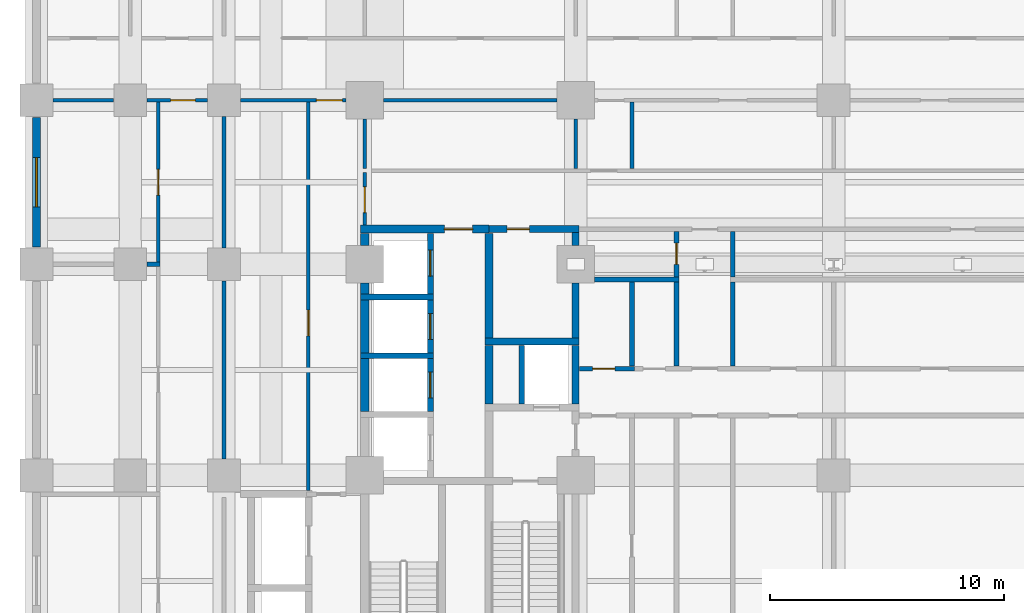
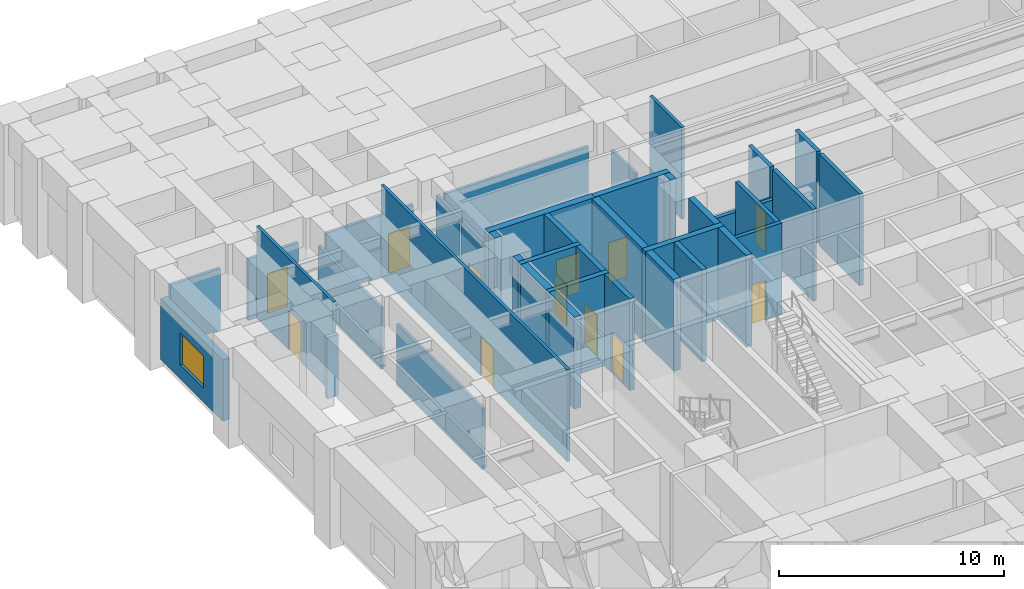
# One storey, part 11 of 22: 39 walls, 12 doors, 1 window, 13 openings.
"""IFC4 building model written with IfcOpenShell, lengths in metres."""

import ifcopenshell
import ifcopenshell.guid

model = None  # the IFC model being written
_history = None  # IfcOwnerHistory: only IFC2X3 demands one
_inside = {}  # id of a spatial element -> (the spatial element, [elements in it])
_under = {}  # id of a project, library or spatial element -> (it, [spatial elements below it])
_declared = {}  # id of a project -> (the project, [libraries it declares])
_typed = {}  # id of a type object -> (the type object, [elements of that type])
_made_of = {}  # id of a material, layer set ... -> (it, [elements and type objects made of it])


def new_model(schema):
    """Start an empty IFC model of exactly this schema.

    Asked for "IFC4X3", IfcOpenShell would pick the latest addendum, in which some entities
    have other attributes; the version numbers below select the first issue.
    IFC2X3 requires an IfcOwnerHistory on every rooted entity: one is made here for all.
    """
    global model, _history
    if schema == "IFC4X3":
        model = ifcopenshell.file(schema_version=(4, 3, 0, 0))
    else:
        model = ifcopenshell.file(schema=schema)
    _inside.clear()
    _under.clear()
    _declared.clear()
    _typed.clear()
    _made_of.clear()
    _history = None
    if model.schema == "IFC2X3":
        org = make("IfcOrganization", Name="unknown")
        user = make(
            "IfcPersonAndOrganization",
            ThePerson=make("IfcPerson", FamilyName="unknown"),
            TheOrganization=org,
        )
        app = make(
            "IfcApplication",
            ApplicationDeveloper=org,
            Version="unknown",
            ApplicationFullName="unknown",
            ApplicationIdentifier="unknown",
        )
        _history = make(
            "IfcOwnerHistory",
            OwningUser=user,
            OwningApplication=app,
            ChangeAction="ADDED",
            CreationDate=0,
        )
    return model


def make(cls, **values):
    """One entity of the class cls with the attributes given. An attribute that is None is left unset."""
    return model.create_entity(
        cls, **{name: value for name, value in values.items() if value is not None}
    )


def rooted(cls, **values):
    """An entity with a GlobalId (a new one), such as an element, a storey or a relation."""
    return make(cls, GlobalId=ifcopenshell.guid.new(), OwnerHistory=_history, **values)


def si_unit(unit_type, name, prefix=None):
    """IfcSIUnit, for example si_unit("LENGTHUNIT", "METRE", prefix="MILLI")."""
    return make("IfcSIUnit", UnitType=unit_type, Prefix=prefix, Name=name)


def assignment(units):
    """IfcUnitAssignment: the units of a project."""
    return None if units is None else make("IfcUnitAssignment", Units=units)


def point(xyz):
    """IfcCartesianPoint."""
    return None if xyz is None else make("IfcCartesianPoint", Coordinates=xyz)


def direction(xyz):
    """IfcDirection."""
    return None if xyz is None else make("IfcDirection", DirectionRatios=xyz)


def frame(location, z_axis=None, x_axis=None):
    """IfcAxis2Placement3D, a coordinate frame: its origin and axes. An axis left out is left unset."""
    return make(
        "IfcAxis2Placement3D",
        Location=point(location),
        Axis=direction(z_axis),
        RefDirection=direction(x_axis),
    )


def frame_2d(location, x_axis=None):
    """IfcAxis2Placement2D, a coordinate frame in the plane: its origin and x axis."""
    return make(
        "IfcAxis2Placement2D", Location=point(location), RefDirection=direction(x_axis)
    )


def origin():
    """The frame at (0, 0, 0) with its axes left unset."""
    return frame((0.0, 0.0, 0.0))


def place(relative_to, where):
    """IfcLocalPlacement: puts the frame where relative to a parent placement (None: the world)."""
    return make(
        "IfcLocalPlacement", PlacementRelTo=relative_to, RelativePlacement=where
    )


def context(
    kind, dimensions, precision=None, world=None, true_north=None, identifier=None
):
    """IfcGeometricRepresentationContext, for example the 3D "Model" context."""
    return make(
        "IfcGeometricRepresentationContext",
        ContextIdentifier=identifier,
        ContextType=kind,
        CoordinateSpaceDimension=dimensions,
        Precision=precision,
        WorldCoordinateSystem=world,
        TrueNorth=true_north,
    )


def subcontext(parent, identifier, kind, view, scale=None):
    """IfcGeometricRepresentationSubContext, for example "Body" below "Model"."""
    return make(
        "IfcGeometricRepresentationSubContext",
        ContextIdentifier=identifier,
        ContextType=kind,
        ParentContext=parent,
        TargetScale=scale,
        TargetView=view,
    )


def project(units=None, contexts=None):
    """IfcProject with its units and contexts."""
    return rooted(
        "IfcProject",
        Name="project",
        RepresentationContexts=contexts,
        UnitsInContext=assignment(units),
    )


def spatial(cls, under=None, at=None, **own):
    """A site, building, storey or space (cls), placed at a placement, below another one or the project."""
    s = rooted(cls, ObjectPlacement=at, **own)
    if under is not None:
        _under.setdefault(under.id(), (under, []))[1].append(s)
    return s


def profile(cls, at=None, kind="AREA", **sizes):
    """A parametric profile (cls). Its sizes go by their IFC names, for example OverallWidth=200.0."""
    return make(cls, ProfileType=kind, Position=at, **sizes)


def rectangle(**sizes):
    """IfcRectangleProfileDef."""
    return profile("IfcRectangleProfileDef", **sizes)


def extrude(swept, where, along, depth):
    """IfcExtrudedAreaSolid: the profile swept, set in the frame where, extruded along a direction by depth."""
    return make(
        "IfcExtrudedAreaSolid",
        SweptArea=swept,
        Position=where,
        ExtrudedDirection=direction(along),
        Depth=depth,
    )


def shape(context_of_items, identifier, shape_type, items):
    """IfcShapeRepresentation: the items that make up one representation, for example the "Body"."""
    return make(
        "IfcShapeRepresentation",
        ContextOfItems=context_of_items,
        RepresentationIdentifier=identifier,
        RepresentationType=shape_type,
        Items=items,
    )


def material(Name=None, Category=None):
    """IfcMaterial."""
    return make("IfcMaterial", Name=Name, Category=Category)


def layer(
    of_material, thickness, ventilated=None, Name=None, Category=None, Priority=None
):
    """IfcMaterialLayer: one layer of a wall or slab, of a material (None: an air gap)."""
    return make(
        "IfcMaterialLayer",
        Material=of_material,
        LayerThickness=thickness,
        IsVentilated=ventilated,
        Name=Name,
        Category=Category,
        Priority=Priority,
    )


def layer_set(layers, Name=None):
    """IfcMaterialLayerSet."""
    return make("IfcMaterialLayerSet", MaterialLayers=layers, LayerSetName=Name)


def made_of(thing, what):
    """Note that an element or type object is made of a material, layer set ...; save() writes the relation."""
    if what is not None:
        _made_of.setdefault(what.id(), (what, []))[1].append(thing)
    return thing


def type_object(cls, material=None, **own):
    """A type object (cls), such as IfcWallType, which elements share."""
    return made_of(rooted(cls, **own), material)


def element(
    cls,
    number,
    at=None,
    inside=None,
    cuts=None,
    type_object=None,
    material=None,
    context=None,
    identifier="Body",
    shape_type=None,
    held_by="IfcProductDefinitionShape",
    body=None,
    shapes=None,
    **own,
):
    """One element of the class cls, such as IfcWall. Its Tag is "e" and its number.

    at: its placement. inside: the storey or other place that contains it. cuts: it is an
    opening in that element (IfcRelVoidsElement). A single representation is given by context,
    identifier, shape_type and body (its items); several are given by shapes. held_by: the class
    of the entity that holds the representations. save() writes the other relations.
    """
    e = rooted(cls, Tag="e%d" % number, ObjectPlacement=at, **own)
    if body is not None:
        shapes = [shape(context, identifier, shape_type, body)]
    if shapes is not None:
        e.Representation = make(held_by, Representations=shapes)
    if inside is not None:
        _inside.setdefault(inside.id(), (inside, []))[1].append(e)
    if cuts is not None:
        rooted(
            "IfcRelVoidsElement", RelatingBuildingElement=cuts, RelatedOpeningElement=e
        )
    if type_object is not None:
        _typed.setdefault(type_object.id(), (type_object, []))[1].append(e)
    return made_of(e, material)


def fill(opening, filler):
    """IfcRelFillsElement: the door or window that sits in an opening."""
    return rooted(
        "IfcRelFillsElement",
        RelatingOpeningElement=opening,
        RelatedBuildingElement=filler,
    )


def aggregate(whole, parts):
    """IfcRelAggregates: a whole, such as a stair, and the parts it consists of."""
    return rooted("IfcRelAggregates", RelatingObject=whole, RelatedObjects=parts)


def save(model, path):
    """Write the relations noted so far, then the file.

    IfcRelAggregates (storeys below a building ...), IfcRelContainedInSpatialStructure (elements
    in a storey), IfcRelDefinesByType, IfcRelAssociatesMaterial and IfcRelDeclares: one each for
    every whole, place, type object, material and project.
    """
    for whole, parts in _under.values():
        aggregate(whole, parts)
    for where, things in _inside.values():
        rooted(
            "IfcRelContainedInSpatialStructure",
            RelatedElements=things,
            RelatingStructure=where,
        )
    for kind, things in _typed.values():
        rooted("IfcRelDefinesByType", RelatedObjects=things, RelatingType=kind)
    for what, things in _made_of.values():
        rooted("IfcRelAssociatesMaterial", RelatedObjects=things, RelatingMaterial=what)
    for by, libraries in _declared.values():
        rooted("IfcRelDeclares", RelatingContext=by, RelatedDefinitions=libraries)
    model.write(path)


model = new_model("IFC4")

# Units and contexts
model_context = context("Model", 3, precision=1e-05, world=origin(), true_north=direction((0.0, 1.0)))
body_context = subcontext(model_context, "Body", "Model", "MODEL_VIEW")
ifc_project = project(units=[si_unit("LENGTHUNIT", "METRE"), si_unit("AREAUNIT", "SQUARE_METRE"), si_unit("VOLUMEUNIT", "CUBIC_METRE"), si_unit("PLANEANGLEUNIT", "RADIAN"), si_unit("MASSUNIT", "GRAM", prefix="KILO")], contexts=[model_context])

# Site, building, storey
site_placement = place(None, origin())
site = spatial("IfcSite", under=ifc_project, at=site_placement, CompositionType="ELEMENT")
building_placement = place(site_placement, origin())
building = spatial("IfcBuilding", under=site, at=building_placement, Name="Zulmaris Gate Convention Tower", CompositionType="ELEMENT")
storey_placement = place(building_placement, frame((0.0, 0.0, 21.760009765625)))
storey = spatial("IfcBuildingStorey", under=building, at=storey_placement, Name="L04", CompositionType="ELEMENT", Elevation=21.760009765625)

# Walls
ifc_material_1 = material(Name="Concrete C50/60", Category="concrete")
ifc_layer_1 = layer(ifc_material_1, 0.25, Name="Concrete C50/60")
ifc_layer_set_1 = layer_set([ifc_layer_1], Name="Concrete C50/60")
wall_type_1 = type_object("IfcWallType", Name="CORE-250", PredefinedType="SOLIDWALL", material=ifc_layer_set_1)
for number, where, z_axis, x_axis, name in (
    (1, (-20.175048828125, 5.10009765625, 0.0), (0.0, 0.0, 1.0), (1.0, 0.0, 0.0), "WL-L04-019"),
    (2, (-20.175048828125, 7.60009765625, 0.0), (0.0, 0.0, 1.0), (1.0, 0.0, 0.0), "WL-L04-022"),
):
    element("IfcWall", number, at=place(storey_placement, frame(where, z_axis=z_axis, x_axis=x_axis)), inside=storey, type_object=wall_type_1, Name=name, PredefinedType="SOLIDWALL", context=body_context, shape_type="SweptSolid", body=[
        extrude(rectangle(XDim=3.10009765625, YDim=0.25, at=frame_2d((1.550048828125, 0.0))), origin(), (0.0, 0.0, 1.0), 4.989990234375),
    ])

# Wall, opening, door
wall_1_placement = place(storey_placement, frame((-17.199951171875, 2.72705078125, 0.0), z_axis=(0.0, 0.0, 1.0), x_axis=(0.0, 1.0, 0.0)))
wall_1 = element("IfcWall", 3, at=wall_1_placement, inside=storey, type_object=wall_type_1, Name="WL-L04-084", PredefinedType="SOLIDWALL", context=body_context, shape_type="SweptSolid", body=[
    extrude(rectangle(XDim=2.245849609375, YDim=0.25, at=frame_2d((1.123046875, 0.0))), origin(), (0.0, 0.0, 1.0), 4.989990234375),
])
opening_1_placement = place(wall_1_placement, frame((0.572998046875, 0.0, 0.0)))
opening_1 = element("IfcOpeningElement", 4, at=opening_1_placement, cuts=wall_1, Name="Opening D-06", PredefinedType="OPENING", context=body_context, shape_type="SweptSolid", body=[
    extrude(rectangle(XDim=1.10009765625, YDim=2.199951171875, at=frame_2d((0.550048828125, 1.10009765625))), frame((0.0, 0.135009765625, 0.0), z_axis=(0.0, -1.0, 0.0), x_axis=(1.0, 0.0, 0.0)), (0.0, 0.0, 1.0), 0.27001953125),
])
ifc_material_2 = material(Name="Brushed Stainless Steel", Category="steel")
door_type_1 = type_object("IfcDoorType", Name="LD-1100", OperationType="NOTDEFINED", PredefinedType="DOOR", material=ifc_material_2)
door_1_placement = place(opening_1_placement, origin())
door_1 = element("IfcDoor", 5, at=door_1_placement, inside=storey, type_object=door_type_1, Name="L04 Lift Landing Door LP-02 13", OperationType="SLIDING_TO_LEFT", OverallHeight=2.199951171875, OverallWidth=1.10009765625, PredefinedType="DOOR", context=body_context, shape_type="SweptSolid", body=[
    extrude(rectangle(XDim=1.10009765625, YDim=2.199951171875, at=frame_2d((0.550048828125, 1.10009765625))), frame((0.0, 0.02490234375, 0.0), z_axis=(0.0, -1.0, 0.0), x_axis=(1.0, 0.0, 0.0)), (0.0, 0.0, 1.0), 0.050048828125),
])
fill(opening_1, door_1)

wall_2_placement = place(storey_placement, frame((-17.199951171875, 5.22705078125, 0.0), z_axis=(0.0, 0.0, 1.0), x_axis=(0.0, 1.0, 0.0)))
wall_2 = element("IfcWall", 6, at=wall_2_placement, inside=storey, type_object=wall_type_1, Name="WL-L04-085", PredefinedType="SOLIDWALL", context=body_context, shape_type="SweptSolid", body=[
    extrude(rectangle(XDim=2.245849609375, YDim=0.25, at=frame_2d((1.123046875, 0.0))), origin(), (0.0, 0.0, 1.0), 4.989990234375),
])
opening_2_placement = place(wall_2_placement, frame((0.572998046875, 0.0, 0.0)))
opening_2 = element("IfcOpeningElement", 7, at=opening_2_placement, cuts=wall_2, Name="Opening D-06", PredefinedType="OPENING", context=body_context, shape_type="SweptSolid", body=[
    extrude(rectangle(XDim=1.10009765625, YDim=2.199951171875, at=frame_2d((0.550048828125, 1.10009765625))), frame((0.0, 0.135009765625, 0.0), z_axis=(0.0, -1.0, 0.0), x_axis=(1.0, 0.0, 0.0)), (0.0, 0.0, 1.0), 0.27001953125),
])
door_2_placement = place(opening_2_placement, origin())
door_2 = element("IfcDoor", 8, at=door_2_placement, inside=storey, type_object=door_type_1, Name="L04 Lift Landing Door LP-03 14", OperationType="SLIDING_TO_LEFT", OverallHeight=2.199951171875, OverallWidth=1.10009765625, PredefinedType="DOOR", context=body_context, shape_type="SweptSolid", body=[
    extrude(rectangle(XDim=1.10009765625, YDim=2.199951171875, at=frame_2d((0.550048828125, 1.10009765625))), frame((0.0, 0.02490234375, 0.0), z_axis=(0.0, -1.0, 0.0), x_axis=(1.0, 0.0, 0.0)), (0.0, 0.0, 1.0), 0.050048828125),
])
fill(opening_2, door_2)

wall_3_placement = place(storey_placement, frame((-17.199951171875, 7.72705078125, 0.0), z_axis=(0.0, 0.0, 1.0), x_axis=(0.0, 1.0, 0.0)))
wall_3 = element("IfcWall", 9, at=wall_3_placement, inside=storey, type_object=wall_type_1, Name="WL-L04-086", PredefinedType="SOLIDWALL", context=body_context, shape_type="SweptSolid", body=[
    extrude(rectangle(XDim=2.595947265625, YDim=0.25, at=frame_2d((1.2978515625, 0.0))), origin(), (0.0, 0.0, 1.0), 4.989990234375),
])
opening_3_placement = place(wall_3_placement, frame((0.77294921875, 0.0, 0.0)))
opening_3 = element("IfcOpeningElement", 10, at=opening_3_placement, cuts=wall_3, Name="Opening D-06", PredefinedType="OPENING", context=body_context, shape_type="SweptSolid", body=[
    extrude(rectangle(XDim=1.10009765625, YDim=2.199951171875, at=frame_2d((0.550048828125, 1.10009765625))), frame((0.0, 0.135009765625, 0.0), z_axis=(0.0, -1.0, 0.0), x_axis=(1.0, 0.0, 0.0)), (0.0, 0.0, 1.0), 0.27001953125),
])
door_3_placement = place(opening_3_placement, origin())
door_3 = element("IfcDoor", 11, at=door_3_placement, inside=storey, type_object=door_type_1, Name="L04 Lift Landing Door LP-04 15", OperationType="SLIDING_TO_LEFT", OverallHeight=2.199951171875, OverallWidth=1.10009765625, PredefinedType="DOOR", context=body_context, shape_type="SweptSolid", body=[
    extrude(rectangle(XDim=1.10009765625, YDim=2.199951171875, at=frame_2d((0.550048828125, 1.10009765625))), frame((0.0, 0.02490234375, 0.0), z_axis=(0.0, -1.0, 0.0), x_axis=(1.0, 0.0, 0.0)), (0.0, 0.0, 1.0), 0.050048828125),
])
fill(opening_3, door_3)

# Walls
wall_4_placement = place(storey_placement, frame((-13.300048828125, 3.052001953125, 0.0), z_axis=(0.0, 0.0, 1.0), x_axis=(0.0, 1.0, 0.0)))
element("IfcWall", 12, at=wall_4_placement, inside=storey, type_object=wall_type_1, Name="WL-L04-092", PredefinedType="SOLIDWALL", context=body_context, shape_type="SweptSolid", body=[
    extrude(rectangle(XDim=2.49609375, YDim=0.25, at=frame_2d((1.248046875, 0.0))), origin(), (0.0, 0.0, 1.0), 4.989990234375),
])
ifc_layer_2 = layer(ifc_material_1, 0.300048828125, Name="Concrete C50/60")
ifc_layer_set_2 = layer_set([ifc_layer_2], Name="Concrete C50/60")
wall_type_2 = type_object("IfcWallType", Name="CORE-300", PredefinedType="SHEAR", material=ifc_layer_set_2)
wall_5_placement = place(storey_placement, frame((-14.875, 5.699951171875, 0.0), z_axis=(0.0, 0.0, 1.0), x_axis=(1.0, 0.0, 0.0)))
element("IfcWall", 13, at=wall_5_placement, inside=storey, type_object=wall_type_2, Name="WL-L04-020", PredefinedType="SHEAR", context=body_context, shape_type="SweptSolid", body=[
    extrude(rectangle(XDim=4.02490234375, YDim=0.300048828125, at=frame_2d((2.012451171875, 0.0))), origin(), (0.0, 0.0, 1.0), 4.989990234375),
])

# Wall, opening, door
wall_6_placement = place(storey_placement, frame((-14.699951171875, 10.5, 0.0), z_axis=(0.0, 0.0, 1.0), x_axis=(1.0, 0.0, 0.0)))
wall_6 = element("IfcWall", 14, at=wall_6_placement, inside=storey, type_object=wall_type_2, Name="WL-L04-024", PredefinedType="SHEAR", context=body_context, shape_type="SweptSolid", body=[
    extrude(rectangle(XDim=3.849853515625, YDim=0.300048828125, at=frame_2d((1.9248046875, 0.0))), origin(), (0.0, 0.0, 1.0), 4.989990234375),
])
opening_4_placement = place(wall_6_placement, frame((0.77490234375, 0.0, 0.0)))
opening_4 = element("IfcOpeningElement", 15, at=opening_4_placement, cuts=wall_6, Name="Opening D-11", PredefinedType="OPENING", context=body_context, shape_type="SweptSolid", body=[
    extrude(rectangle(XDim=0.949951171875, YDim=2.14990234375, at=frame_2d((0.47509765625, 1.074951171875))), frame((0.0, 0.16015625, 0.0), z_axis=(0.0, -1.0, 0.0), x_axis=(1.0, 0.0, 0.0)), (0.0, 0.0, 1.0), 0.320068359375),
])
ifc_material_3 = material(Name="Fire-Rated Timber", Category="wood")
door_type_2 = type_object("IfcDoorType", Name="DR-950-FD", OperationType="NOTDEFINED", PredefinedType="DOOR", material=ifc_material_3)
door_4_placement = place(opening_4_placement, origin())
door_4 = element("IfcDoor", 16, at=door_4_placement, inside=storey, type_object=door_type_2, Name="L04 Core Archive Door 07", OperationType="SINGLE_SWING_LEFT", OverallHeight=2.14990234375, OverallWidth=0.949951171875, PredefinedType="DOOR", context=body_context, shape_type="SweptSolid", body=[
    extrude(rectangle(XDim=0.949951171875, YDim=2.14990234375, at=frame_2d((0.47509765625, 1.074951171875))), frame((0.0, 0.02490234375, 0.0), z_axis=(0.0, -1.0, 0.0), x_axis=(1.0, 0.0, 0.0)), (0.0, 0.0, 1.0), 0.050048828125),
])
fill(opening_4, door_4)

# Walls
wall_7_placement = place(storey_placement, frame((-11.0, 3.052001953125, 0.0), z_axis=(0.0, 0.0, 1.0), x_axis=(0.0, 1.0, 0.0)))
element("IfcWall", 17, at=wall_7_placement, inside=storey, type_object=wall_type_2, Name="WL-L04-096", PredefinedType="SHEAR", context=body_context, shape_type="SweptSolid", body=[
    extrude(rectangle(XDim=2.49609375, YDim=0.300048828125, at=frame_2d((1.248046875, 0.0))), origin(), (0.0, 0.0, 1.0), 4.989990234375),
])
wall_8_placement = place(storey_placement, frame((-11.0, 5.85205078125, 0.0), z_axis=(0.0, 0.0, 1.0), x_axis=(0.0, 1.0, 0.0)))
element("IfcWall", 18, at=wall_8_placement, inside=storey, type_object=wall_type_2, Name="WL-L04-097", PredefinedType="SHEAR", context=body_context, shape_type="SweptSolid", body=[
    extrude(rectangle(XDim=2.343994140625, YDim=0.300048828125, at=frame_2d((1.171875, 0.0))), origin(), (0.0, 0.0, 1.0), 4.989990234375),
])
wall_9_placement = place(storey_placement, frame((-11.0, 9.803955078125, 0.0), z_axis=(0.0, 0.0, 1.0), x_axis=(0.0, 1.0, 0.0)))
element("IfcWall", 19, at=wall_9_placement, inside=storey, type_object=wall_type_2, Name="WL-L04-097S1", PredefinedType="SHEAR", context=body_context, shape_type="SweptSolid", body=[
    extrude(rectangle(XDim=0.5439453125, YDim=0.300048828125, at=frame_2d((0.27197265625, 0.0))), origin(), (0.0, 0.0, 1.0), 4.989990234375),
])

# Wall, opening, door
ifc_material_4 = material(Name="Concrete C55/67", Category="concrete")
ifc_layer_3 = layer(ifc_material_4, 0.35009765625, Name="Concrete C55/67")
ifc_layer_set_3 = layer_set([ifc_layer_3], Name="Concrete C55/67")
wall_type_3 = type_object("IfcWallType", Name="CORE-350", PredefinedType="SHEAR", material=ifc_layer_set_3)
wall_10_placement = place(storey_placement, frame((-20.175048828125, 10.5, 0.0), z_axis=(0.0, 0.0, 1.0), x_axis=(1.0, 0.0, 0.0)))
wall_10 = element("IfcWall", 20, at=wall_10_placement, inside=storey, type_object=wall_type_3, Name="WL-L04-023", PredefinedType="SHEAR", context=body_context, shape_type="SweptSolid", body=[
    extrude(rectangle(XDim=5.47509765625, YDim=0.35009765625, at=frame_2d((2.737548828125, 0.0))), origin(), (0.0, 0.0, 1.0), 4.989990234375),
])
opening_5_placement = place(wall_10_placement, frame((3.574951171875, 0.0, 0.0)))
opening_5 = element("IfcOpeningElement", 21, at=opening_5_placement, cuts=wall_10, Name="Opening D-13", PredefinedType="OPENING", context=body_context, shape_type="SweptSolid", body=[
    extrude(rectangle(XDim=1.199951171875, YDim=2.14990234375, at=frame_2d((0.60009765625, 1.074951171875))), frame((0.0, 0.18505859375, 0.0), z_axis=(0.0, -1.0, 0.0), x_axis=(1.0, 0.0, 0.0)), (0.0, 0.0, 1.0), 0.3701171875),
])
ifc_material_5 = material(Name="Fire-Rated Steel", Category="steel")
door_type_3 = type_object("IfcDoorType", Name="DR-1200-FD", OperationType="NOTDEFINED", PredefinedType="DOOR", material=ifc_material_5)
door_5_placement = place(opening_5_placement, origin())
door_5 = element("IfcDoor", 22, at=door_5_placement, inside=storey, type_object=door_type_3, Name="L04 Low-Rise Lift Lobby Door 11", OperationType="SINGLE_SWING_LEFT", OverallHeight=2.14990234375, OverallWidth=1.199951171875, PredefinedType="DOOR", context=body_context, shape_type="SweptSolid", body=[
    extrude(rectangle(XDim=1.199951171875, YDim=2.14990234375, at=frame_2d((0.60009765625, 1.074951171875))), frame((0.0, 0.02490234375, 0.0), z_axis=(0.0, -1.0, 0.0), x_axis=(1.0, 0.0, 0.0)), (0.0, 0.0, 1.0), 0.050048828125),
])
fill(opening_5, door_5)

# Walls
for number, where, z_axis, x_axis, name in (
    (23, (-20.0, 2.72705078125, 0.0), (0.0, 0.0, 1.0), (0.0, 1.0, 0.0), "WL-L04-080"),
    (24, (-20.0, 5.22705078125, 0.0), (0.0, 0.0, 1.0), (0.0, 1.0, 0.0), "WL-L04-081"),
):
    element("IfcWall", number, at=place(storey_placement, frame(where, z_axis=z_axis, x_axis=x_axis)), inside=storey, type_object=wall_type_3, Name=name, PredefinedType="SHEAR", context=body_context, shape_type="SweptSolid", body=[
        extrude(rectangle(XDim=2.245849609375, YDim=0.35009765625, at=frame_2d((1.123046875, 0.0))), origin(), (0.0, 0.0, 1.0), 4.989990234375),
    ])
wall_11_placement = place(storey_placement, frame((-20.0, 7.72705078125, 0.0), z_axis=(0.0, 0.0, 1.0), x_axis=(0.0, 1.0, 0.0)))
element("IfcWall", 25, at=wall_11_placement, inside=storey, type_object=wall_type_3, Name="WL-L04-082", PredefinedType="SHEAR", context=body_context, shape_type="SweptSolid", body=[
    extrude(rectangle(XDim=0.468994140625, YDim=0.35009765625, at=frame_2d((0.234375, 0.0))), origin(), (0.0, 0.0, 1.0), 4.989990234375),
])
wall_12_placement = place(storey_placement, frame((-20.0, 9.803955078125, 0.0), z_axis=(0.0, 0.0, 1.0), x_axis=(0.0, 1.0, 0.0)))
element("IfcWall", 26, at=wall_12_placement, inside=storey, type_object=wall_type_3, Name="WL-L04-082S1", PredefinedType="SHEAR", context=body_context, shape_type="SweptSolid", body=[
    extrude(rectangle(XDim=0.51904296875, YDim=0.35009765625, at=frame_2d((0.259521484375, 0.0))), origin(), (0.0, 0.0, 1.0), 4.989990234375),
])
wall_13_placement = place(storey_placement, frame((-14.699951171875, 3.052001953125, 0.0), z_axis=(0.0, 0.0, 1.0), x_axis=(0.0, 1.0, 0.0)))
element("IfcWall", 27, at=wall_13_placement, inside=storey, type_object=wall_type_3, Name="WL-L04-090", PredefinedType="SHEAR", context=body_context, shape_type="SweptSolid", body=[
    extrude(rectangle(XDim=2.49609375, YDim=0.35009765625, at=frame_2d((1.248046875, 0.0))), origin(), (0.0, 0.0, 1.0), 4.989990234375),
])
wall_14_placement = place(storey_placement, frame((-14.699951171875, 5.85205078125, 0.0), z_axis=(0.0, 0.0, 1.0), x_axis=(0.0, 1.0, 0.0)))
element("IfcWall", 28, at=wall_14_placement, inside=storey, type_object=wall_type_3, Name="WL-L04-091", PredefinedType="SHEAR", context=body_context, shape_type="SweptSolid", body=[
    extrude(rectangle(XDim=4.470947265625, YDim=0.35009765625, at=frame_2d((2.2353515625, 0.0))), origin(), (0.0, 0.0, 1.0), 4.989990234375),
])
ifc_material_6 = material(Name="Gypsum Metal Stud Partition")
ifc_layer_4 = layer(ifc_material_6, 0.14990234375, Name="Gypsum Metal Stud Partition")
ifc_layer_set_4 = layer_set([ifc_layer_4], Name="Gypsum Metal Stud Partition")
wall_type_4 = type_object("IfcWallType", Name="PART-150", PredefinedType="PARTITIONING", material=ifc_layer_set_4)
wall_15_placement = place(storey_placement, frame((-33.2939453125, 16.0, 0.0), z_axis=(0.0, 0.0, 1.0), x_axis=(1.0, 0.0, 0.0)))
element("IfcWall", 29, at=wall_15_placement, inside=storey, type_object=wall_type_4, Name="WL-L04-068", PredefinedType="PARTITIONING", context=body_context, shape_type="SweptSolid", body=[
    extrude(rectangle(XDim=2.587890625, YDim=0.14990234375, at=frame_2d((1.2939453125, 0.0))), origin(), (0.0, 0.0, 1.0), 3.33203125),
])

# Wall, opening, door
wall_16_placement = place(storey_placement, frame((-29.2939453125, 16.0, 0.0), z_axis=(0.0, 0.0, 1.0), x_axis=(1.0, 0.0, 0.0)))
wall_16 = element("IfcWall", 30, at=wall_16_placement, inside=storey, type_object=wall_type_4, Name="WL-L04-068S1", PredefinedType="PARTITIONING", context=body_context, shape_type="SweptSolid", body=[
    extrude(rectangle(XDim=2.587890625, YDim=0.14990234375, at=frame_2d((1.2939453125, 0.0))), origin(), (0.0, 0.0, 1.0), 3.33203125),
])
opening_6_placement = place(wall_16_placement, frame((1.01904296875, 0.0, 0.0)))
opening_6 = element("IfcOpeningElement", 31, at=opening_6_placement, cuts=wall_16, Name="Opening D-09", PredefinedType="OPENING", context=body_context, shape_type="SweptSolid", body=[
    extrude(rectangle(XDim=1.050048828125, YDim=2.14990234375, at=frame_2d((0.52490234375, 1.074951171875))), frame((0.0, 0.0849609375, 0.0), z_axis=(0.0, -1.0, 0.0), x_axis=(1.0, 0.0, 0.0)), (0.0, 0.0, 1.0), 0.169921875),
])
door_type_4 = type_object("IfcDoorType", Name="DR-1050-FD", OperationType="NOTDEFINED", PredefinedType="DOOR", material=ifc_material_5)
door_6_placement = place(opening_6_placement, origin())
door_6 = element("IfcDoor", 32, at=door_6_placement, inside=storey, type_object=door_type_4, Name="L04 West Promenade North Concourse Door 65", OperationType="SINGLE_SWING_LEFT", OverallHeight=2.14990234375, OverallWidth=1.050048828125, PredefinedType="DOOR", context=body_context, shape_type="SweptSolid", body=[
    extrude(rectangle(XDim=1.050048828125, YDim=2.14990234375, at=frame_2d((0.52490234375, 1.074951171875))), frame((0.0, 0.02490234375, 0.0), z_axis=(0.0, -1.0, 0.0), x_axis=(1.0, 0.0, 0.0)), (0.0, 0.0, 1.0), 0.050048828125),
])
fill(opening_6, door_6)

wall_17_placement = place(storey_placement, frame((-25.2939453125, 16.0, 0.0), z_axis=(0.0, 0.0, 1.0), x_axis=(1.0, 0.0, 0.0)))
wall_17 = element("IfcWall", 33, at=wall_17_placement, inside=storey, type_object=wall_type_4, Name="WL-L04-068S2", PredefinedType="PARTITIONING", context=body_context, shape_type="SweptSolid", body=[
    extrude(rectangle(XDim=4.488037109375, YDim=0.14990234375, at=frame_2d((2.244140625, 0.0))), origin(), (0.0, 0.0, 1.0), 3.33203125),
])
opening_7_placement = place(wall_17_placement, frame((3.238037109375, 0.0, 0.0)))
opening_7 = element("IfcOpeningElement", 34, at=opening_7_placement, cuts=wall_17, Name="Opening D-08", PredefinedType="OPENING", context=body_context, shape_type="SweptSolid", body=[
    extrude(rectangle(XDim=1.10009765625, YDim=2.14990234375, at=frame_2d((0.550048828125, 1.074951171875))), frame((0.0, 0.0849609375, 0.0), z_axis=(0.0, -1.0, 0.0), x_axis=(1.0, 0.0, 0.0)), (0.0, 0.0, 1.0), 0.169921875),
])
door_type_5 = type_object("IfcDoorType", Name="DR-1100-FD", OperationType="NOTDEFINED", PredefinedType="DOOR", material=ifc_material_5)
door_7_placement = place(opening_7_placement, origin())
door_7 = element("IfcDoor", 35, at=door_7_placement, inside=storey, type_object=door_type_5, Name="L04 West Concourse Link Door 38", OperationType="SINGLE_SWING_RIGHT", OverallHeight=2.14990234375, OverallWidth=1.10009765625, PredefinedType="DOOR", context=body_context, shape_type="SweptSolid", body=[
    extrude(rectangle(XDim=1.10009765625, YDim=2.14990234375, at=frame_2d((0.550048828125, 1.074951171875))), frame((0.0, 0.02490234375, 0.0), z_axis=(0.0, -1.0, 0.0), x_axis=(1.0, 0.0, 0.0)), (0.0, 0.0, 1.0), 0.050048828125),
])
fill(opening_7, door_7)

# Wall
wall_18_placement = place(storey_placement, frame((-19.194091796875, 16.0, 0.0), z_axis=(0.0, 0.0, 1.0), x_axis=(1.0, 0.0, 0.0)))
element("IfcWall", 36, at=wall_18_placement, inside=storey, type_object=wall_type_4, Name="WL-L04-068S3", PredefinedType="PARTITIONING", context=body_context, shape_type="SweptSolid", body=[
    extrude(rectangle(XDim=7.38818359375, YDim=0.14990234375, at=frame_2d((3.694091796875, 0.0))), origin(), (0.0, 0.0, 1.0), 3.33203125),
])

# Wall, opening, door
wall_19_placement = place(storey_placement, frame((-28.800048828125, 9.10302734375, 0.0), z_axis=(0.0, 0.0, 1.0), x_axis=(0.0, 1.0, 0.0)))
wall_19 = element("IfcWall", 37, at=wall_19_placement, inside=storey, type_object=wall_type_4, Name="WL-L04-119", PredefinedType="PARTITIONING", context=body_context, shape_type="SweptSolid", body=[
    extrude(rectangle(XDim=6.819091796875, YDim=0.14990234375, at=frame_2d((3.40966796875, 0.0))), origin(), (0.0, 0.0, 1.0), 4.989990234375),
])
opening_8_placement = place(wall_19_placement, frame((2.846923828125, 0.0, 0.0)))
opening_8 = element("IfcOpeningElement", 38, at=opening_8_placement, cuts=wall_19, Name="Opening D-08", PredefinedType="OPENING", context=body_context, shape_type="SweptSolid", body=[
    extrude(rectangle(XDim=1.10009765625, YDim=2.14990234375, at=frame_2d((0.550048828125, 1.074951171875))), frame((0.0, 0.0849609375, 0.0), z_axis=(0.0, -1.0, 0.0), x_axis=(1.0, 0.0, 0.0)), (0.0, 0.0, 1.0), 0.169921875),
])
door_8_placement = place(opening_8_placement, origin())
door_8 = element("IfcDoor", 39, at=door_8_placement, inside=storey, type_object=door_type_5, Name="L04 West Room WU2 Door 69", OperationType="SINGLE_SWING_LEFT", OverallHeight=2.14990234375, OverallWidth=1.10009765625, PredefinedType="DOOR", context=body_context, shape_type="SweptSolid", body=[
    extrude(rectangle(XDim=1.10009765625, YDim=2.14990234375, at=frame_2d((0.550048828125, 1.074951171875))), frame((0.0, 0.02490234375, 0.0), z_axis=(0.0, -1.0, 0.0), x_axis=(1.0, 0.0, 0.0)), (0.0, 0.0, 1.0), 0.050048828125),
])
fill(opening_8, door_8)

# Walls
wall_20_placement = place(storey_placement, frame((-26.0, 0.7060546875, 0.0), z_axis=(0.0, 0.0, 1.0), x_axis=(0.0, 1.0, 0.0)))
element("IfcWall", 40, at=wall_20_placement, inside=storey, type_object=wall_type_4, Name="WL-L04-124", PredefinedType="PARTITIONING", context=body_context, shape_type="SweptSolid", body=[
    extrude(rectangle(XDim=7.587890625, YDim=0.14990234375, at=frame_2d((3.7939453125, 0.0))), origin(), (0.0, 0.0, 1.0), 3.33203125),
])
wall_21_placement = place(storey_placement, frame((-26.0, 9.7060546875, 0.0), z_axis=(0.0, 0.0, 1.0), x_axis=(0.0, 1.0, 0.0)))
element("IfcWall", 41, at=wall_21_placement, inside=storey, type_object=wall_type_4, Name="WL-L04-124S1", PredefinedType="PARTITIONING", context=body_context, shape_type="SweptSolid", body=[
    extrude(rectangle(XDim=5.587890625, YDim=0.14990234375, at=frame_2d((2.7939453125, 0.0))), origin(), (0.0, 0.0, 1.0), 3.33203125),
])

# Wall, opening, door
wall_22_placement = place(storey_placement, frame((-22.39990234375, -0.64697265625, 0.0), z_axis=(0.0, 0.0, 1.0), x_axis=(0.0, 1.0, 0.0)))
wall_22 = element("IfcWall", 42, at=wall_22_placement, inside=storey, type_object=wall_type_4, Name="WL-L04-128", PredefinedType="PARTITIONING", context=body_context, shape_type="SweptSolid", body=[
    extrude(rectangle(XDim=16.569091796875, YDim=0.14990234375, at=frame_2d((8.28466796875, 0.0))), origin(), (0.0, 0.0, 1.0), 4.989990234375),
])
opening_9_placement = place(wall_22_placement, frame((6.596923828125, 0.0, 0.0)))
opening_9 = element("IfcOpeningElement", 43, at=opening_9_placement, cuts=wall_22, Name="Opening D-08", PredefinedType="OPENING", context=body_context, shape_type="SweptSolid", body=[
    extrude(rectangle(XDim=1.10009765625, YDim=2.14990234375, at=frame_2d((0.550048828125, 1.074951171875))), frame((0.0, 0.0849609375, 0.0), z_axis=(0.0, -1.0, 0.0), x_axis=(1.0, 0.0, 0.0)), (0.0, 0.0, 1.0), 0.169921875),
])
door_9_placement = place(opening_9_placement, origin())
door_9 = element("IfcDoor", 44, at=door_9_placement, inside=storey, type_object=door_type_5, Name="L04 West Delegate Lounge Door 32", OperationType="SINGLE_SWING_RIGHT", OverallHeight=2.14990234375, OverallWidth=1.10009765625, PredefinedType="DOOR", context=body_context, shape_type="SweptSolid", body=[
    extrude(rectangle(XDim=1.10009765625, YDim=2.14990234375, at=frame_2d((0.550048828125, 1.074951171875))), frame((0.0, 0.02490234375, 0.0), z_axis=(0.0, -1.0, 0.0), x_axis=(1.0, 0.0, 0.0)), (0.0, 0.0, 1.0), 0.050048828125),
])
fill(opening_9, door_9)

wall_23_placement = place(storey_placement, frame((-20.0, 10.677978515625, 0.0), z_axis=(0.0, 0.0, 1.0), x_axis=(0.0, 1.0, 0.0)))
wall_23 = element("IfcWall", 45, at=wall_23_placement, inside=storey, type_object=wall_type_4, Name="WL-L04-131", PredefinedType="PARTITIONING", context=body_context, shape_type="SweptSolid", body=[
    extrude(rectangle(XDim=2.244140625, YDim=0.14990234375, at=frame_2d((1.1220703125, 0.0))), origin(), (0.0, 0.0, 1.0), 4.031982421875),
])
opening_10_placement = place(wall_23_placement, frame((0.52197265625, 0.0, 0.0)))
opening_10 = element("IfcOpeningElement", 46, at=opening_10_placement, cuts=wall_23, Name="Opening D-08", PredefinedType="OPENING", context=body_context, shape_type="SweptSolid", body=[
    extrude(rectangle(XDim=1.10009765625, YDim=2.14990234375, at=frame_2d((0.550048828125, 1.074951171875))), frame((0.0, 0.0849609375, 0.0), z_axis=(0.0, -1.0, 0.0), x_axis=(1.0, 0.0, 0.0)), (0.0, 0.0, 1.0), 0.169921875),
])
door_10_placement = place(opening_10_placement, origin())
door_10 = element("IfcDoor", 47, at=door_10_placement, inside=storey, type_object=door_type_5, Name="L04 West Passage North Door 42", OperationType="SINGLE_SWING_RIGHT", OverallHeight=2.14990234375, OverallWidth=1.10009765625, PredefinedType="DOOR", context=body_context, shape_type="SweptSolid", body=[
    extrude(rectangle(XDim=1.10009765625, YDim=2.14990234375, at=frame_2d((0.550048828125, 1.074951171875))), frame((0.0, 0.02490234375, 0.0), z_axis=(0.0, -1.0, 0.0), x_axis=(1.0, 0.0, 0.0)), (0.0, 0.0, 1.0), 0.050048828125),
])
fill(opening_10, door_10)

# Walls
wall_24_placement = place(storey_placement, frame((-20.0, 13.077880859375, 0.0), z_axis=(0.0, 0.0, 1.0), x_axis=(0.0, 1.0, 0.0)))
element("IfcWall", 48, at=wall_24_placement, inside=storey, type_object=wall_type_4, Name="WL-L04-132", PredefinedType="PARTITIONING", context=body_context, shape_type="SweptSolid", body=[
    extrude(rectangle(XDim=2.1162109375, YDim=0.14990234375, at=frame_2d((1.05810546875, 0.0))), origin(), (0.0, 0.0, 1.0), 4.031982421875),
])
wall_25_placement = place(storey_placement, frame((-11.0, 13.077880859375, 0.0), z_axis=(0.0, 0.0, 1.0), x_axis=(0.0, 1.0, 0.0)))
element("IfcWall", 49, at=wall_25_placement, inside=storey, type_object=wall_type_4, Name="WL-L04-136", PredefinedType="PARTITIONING", context=body_context, shape_type="SweptSolid", body=[
    extrude(rectangle(XDim=2.1162109375, YDim=0.14990234375, at=frame_2d((1.05810546875, 0.0))), origin(), (0.0, 0.0, 1.0), 3.33203125),
])
wall_26_placement = place(storey_placement, frame((-8.60009765625, 13.077880859375, 0.0), z_axis=(0.0, 0.0, 1.0), x_axis=(0.0, 1.0, 0.0)))
element("IfcWall", 50, at=wall_26_placement, inside=storey, type_object=wall_type_4, Name="WL-L04-142", PredefinedType="PARTITIONING", context=body_context, shape_type="SweptSolid", body=[
    extrude(rectangle(XDim=2.84423828125, YDim=0.14990234375, at=frame_2d((1.422119140625, 0.0))), origin(), (0.0, 0.0, 1.0), 4.989990234375),
])

# Wall, opening, door
ifc_material_7 = material(Name="Autoclaved Aerated Concrete Block and Plasterboard", Category="concrete")
ifc_layer_5 = layer(ifc_material_7, 0.199951171875, Name="Autoclaved Aerated Concrete Block and Plasterboard")
ifc_layer_set_5 = layer_set([ifc_layer_5], Name="Autoclaved Aerated Concrete Block and Plasterboard")
wall_type_5 = type_object("IfcWallType", Name="PART-200", PredefinedType="PARTITIONING", material=ifc_layer_set_5)
wall_27_placement = place(storey_placement, frame((-10.846923828125, 4.550048828125, 0.0), z_axis=(0.0, 0.0, 1.0), x_axis=(1.0, 0.0, 0.0)))
wall_27 = element("IfcWall", 51, at=wall_27_placement, inside=storey, type_object=wall_type_5, Name="WL-L04-058", PredefinedType="PARTITIONING", context=body_context, shape_type="SweptSolid", body=[
    extrude(rectangle(XDim=2.346923828125, YDim=0.199951171875, at=frame_2d((1.17333984375, 0.0))), origin(), (0.0, 0.0, 1.0), 4.989990234375),
])
opening_11_placement = place(wall_27_placement, frame((0.572021484375, 0.0, 0.0)))
opening_11 = element("IfcOpeningElement", 52, at=opening_11_placement, cuts=wall_27, Name="Opening D-11", PredefinedType="OPENING", context=body_context, shape_type="SweptSolid", body=[
    extrude(rectangle(XDim=0.949951171875, YDim=2.14990234375, at=frame_2d((0.47509765625, 1.074951171875))), frame((0.0, 0.10986328125, 0.0), z_axis=(0.0, -1.0, 0.0), x_axis=(1.0, 0.0, 0.0)), (0.0, 0.0, 1.0), 0.219970703125),
])
door_11_placement = place(opening_11_placement, origin())
door_11 = element("IfcDoor", 53, at=door_11_placement, inside=storey, type_object=door_type_2, Name="L04 NW Arch Equipment Door 29", OperationType="SINGLE_SWING_LEFT", OverallHeight=2.14990234375, OverallWidth=0.949951171875, PredefinedType="DOOR", context=body_context, shape_type="SweptSolid", body=[
    extrude(rectangle(XDim=0.949951171875, YDim=2.14990234375, at=frame_2d((0.47509765625, 1.074951171875))), frame((0.0, 0.02490234375, 0.0), z_axis=(0.0, -1.0, 0.0), x_axis=(1.0, 0.0, 0.0)), (0.0, 0.0, 1.0), 0.050048828125),
])
fill(opening_11, door_11)

# Walls
wall_28_placement = place(storey_placement, frame((-10.194091796875, 8.35009765625, 0.0), z_axis=(0.0, 0.0, 1.0), x_axis=(1.0, 0.0, 0.0)))
element("IfcWall", 54, at=wall_28_placement, inside=storey, type_object=wall_type_5, Name="WL-L04-062", PredefinedType="PARTITIONING", context=body_context, shape_type="SweptSolid", body=[
    extrude(rectangle(XDim=3.593994140625, YDim=0.199951171875, at=frame_2d((1.796875, 0.0))), origin(), (0.0, 0.0, 1.0), 3.33203125),
])
wall_29_placement = place(storey_placement, frame((-29.2939453125, 9.0, 0.0), z_axis=(0.0, 0.0, 1.0), x_axis=(1.0, 0.0, 0.0)))
element("IfcWall", 55, at=wall_29_placement, inside=storey, type_object=wall_type_5, Name="WL-L04-064S1", PredefinedType="PARTITIONING", context=body_context, shape_type="SweptSolid", body=[
    extrude(rectangle(XDim=0.56884765625, YDim=0.199951171875, at=frame_2d((0.284423828125, 0.0))), origin(), (0.0, 0.0, 1.0), 3.33203125),
])
for number, where, z_axis, x_axis, name in (
    (56, (-8.60009765625, 4.653076171875, 0.0), (0.0, 0.0, 1.0), (0.0, 1.0, 0.0), "WL-L04-141"),
    (57, (-6.699951171875, 4.653076171875, 0.0), (0.0, 0.0, 1.0), (0.0, 1.0, 0.0), "WL-L04-147"),
):
    element("IfcWall", number, at=place(storey_placement, frame(where, z_axis=z_axis, x_axis=x_axis)), inside=storey, type_object=wall_type_5, Name=name, PredefinedType="PARTITIONING", context=body_context, shape_type="SweptSolid", body=[
        extrude(rectangle(XDim=3.593994140625, YDim=0.199951171875, at=frame_2d((1.796875, 0.0))), origin(), (0.0, 0.0, 1.0), 4.989990234375),
    ])

# Wall, opening, door
wall_30_placement = place(storey_placement, frame((-6.699951171875, 8.452880859375, 0.0), z_axis=(0.0, 0.0, 1.0), x_axis=(0.0, 1.0, 0.0)))
wall_30 = element("IfcWall", 58, at=wall_30_placement, inside=storey, type_object=wall_type_5, Name="WL-L04-148", PredefinedType="PARTITIONING", context=body_context, shape_type="SweptSolid", body=[
    extrude(rectangle(XDim=1.944091796875, YDim=0.199951171875, at=frame_2d((0.97216796875, 0.0))), origin(), (0.0, 0.0, 1.0), 4.989990234375),
])
opening_12_placement = place(wall_30_placement, frame((0.547119140625, 0.0, 0.0)))
opening_12 = element("IfcOpeningElement", 59, at=opening_12_placement, cuts=wall_30, Name="Opening D-12", PredefinedType="OPENING", context=body_context, shape_type="SweptSolid", body=[
    extrude(rectangle(XDim=0.89990234375, YDim=2.14990234375, at=frame_2d((0.449951171875, 1.074951171875))), frame((0.0, 0.10986328125, 0.0), z_axis=(0.0, -1.0, 0.0), x_axis=(1.0, 0.0, 0.0)), (0.0, 0.0, 1.0), 0.219970703125),
])
door_type_6 = type_object("IfcDoorType", Name="DR-900-FD", OperationType="NOTDEFINED", PredefinedType="DOOR", material=ifc_material_3)
door_12_placement = place(opening_12_placement, origin())
door_12 = element("IfcDoor", 60, at=door_12_placement, inside=storey, type_object=door_type_6, Name="L04 NW Truss Plant Door 107", OperationType="SINGLE_SWING_LEFT", OverallHeight=2.14990234375, OverallWidth=0.89990234375, PredefinedType="DOOR", context=body_context, shape_type="SweptSolid", body=[
    extrude(rectangle(XDim=0.89990234375, YDim=2.14990234375, at=frame_2d((0.449951171875, 1.074951171875))), frame((0.0, 0.02490234375, 0.0), z_axis=(0.0, -1.0, 0.0), x_axis=(1.0, 0.0, 0.0)), (0.0, 0.0, 1.0), 0.050048828125),
])
fill(opening_12, door_12)

# Walls
wall_31_placement = place(storey_placement, frame((-4.300048828125, 4.653076171875, 0.0), z_axis=(0.0, 0.0, 1.0), x_axis=(0.0, 1.0, 0.0)))
element("IfcWall", 61, at=wall_31_placement, inside=storey, type_object=wall_type_5, Name="WL-L04-154", PredefinedType="PARTITIONING", context=body_context, shape_type="SweptSolid", body=[
    extrude(rectangle(XDim=3.593994140625, YDim=0.199951171875, at=frame_2d((1.796875, 0.0))), origin(), (0.0, 0.0, 1.0), 4.989990234375),
])
wall_32_placement = place(storey_placement, frame((-4.300048828125, 8.452880859375, 0.0), z_axis=(0.0, 0.0, 1.0), x_axis=(0.0, 1.0, 0.0)))
element("IfcWall", 62, at=wall_32_placement, inside=storey, type_object=wall_type_5, Name="WL-L04-155", PredefinedType="PARTITIONING", context=body_context, shape_type="SweptSolid", body=[
    extrude(rectangle(XDim=1.944091796875, YDim=0.199951171875, at=frame_2d((0.97216796875, 0.0))), origin(), (0.0, 0.0, 1.0), 4.989990234375),
])

# Wall, opening, window
ifc_material_8 = material(Name="Precast concrete C45/55", Category="concrete")
ifc_layer_6 = layer(ifc_material_8, 0.35009765625, Name="Precast concrete C45/55")
ifc_layer_set_6 = layer_set([ifc_layer_6], Name="Precast concrete C45/55")
wall_type_6 = type_object("IfcWallType", Name="PRECAST-POD-350", PredefinedType="STANDARD", material=ifc_layer_set_6)
wall_33_placement = place(storey_placement, frame((-34.0, 9.72998046875, 0.0), z_axis=(0.0, 0.0, 1.0), x_axis=(0.0, 1.0, 0.0)))
wall_33 = element("IfcWall", 63, at=wall_33_placement, inside=storey, type_object=wall_type_6, Name="EW-L04-W-9_0", PredefinedType="STANDARD", context=body_context, shape_type="SweptSolid", body=[
    extrude(rectangle(XDim=5.5400390625, YDim=0.35009765625, at=frame_2d((2.77001953125, 0.0))), origin(), (0.0, 0.0, 1.0), 3.33203125),
])
opening_13_placement = place(wall_33_placement, frame((1.719970703125, 0.0, 0.75)))
opening_13 = element("IfcOpeningElement", 64, at=opening_13_placement, cuts=wall_33, Name="Opening W-05", PredefinedType="OPENING", context=body_context, shape_type="SweptSolid", body=[
    extrude(rectangle(XDim=2.10009765625, YDim=1.75, at=frame_2d((1.050048828125, 0.875))), frame((0.0, 0.18505859375, 0.0), z_axis=(0.0, -1.0, 0.0), x_axis=(1.0, 0.0, 0.0)), (0.0, 0.0, 1.0), 0.3701171875),
])
ifc_material_9 = material(Name="Low-E Laminated Double Glazing in Aluminium Frame", Category="aluminium")
window_type = type_object("IfcWindowType", Name="WIN-2100x2400", PartitioningType="SINGLE_PANEL", PredefinedType="WINDOW", material=ifc_material_9)
window_placement = place(opening_13_placement, origin())
window = element("IfcWindow", 65, at=window_placement, inside=storey, type_object=window_type, Name="WN-EW-L04-W-9_0", OverallHeight=1.75, OverallWidth=2.10009765625, PartitioningType="SINGLE_PANEL", PredefinedType="WINDOW", context=body_context, shape_type="SweptSolid", body=[
    extrude(rectangle(XDim=2.10009765625, YDim=1.75, at=frame_2d((1.050048828125, 0.875))), frame((0.0, 0.030029296875, 0.0), z_axis=(0.0, -1.0, 0.0), x_axis=(1.0, 0.0, 0.0)), (0.0, 0.0, 1.0), 0.06005859375),
])
fill(opening_13, window)

save(model, "model.ifc")
